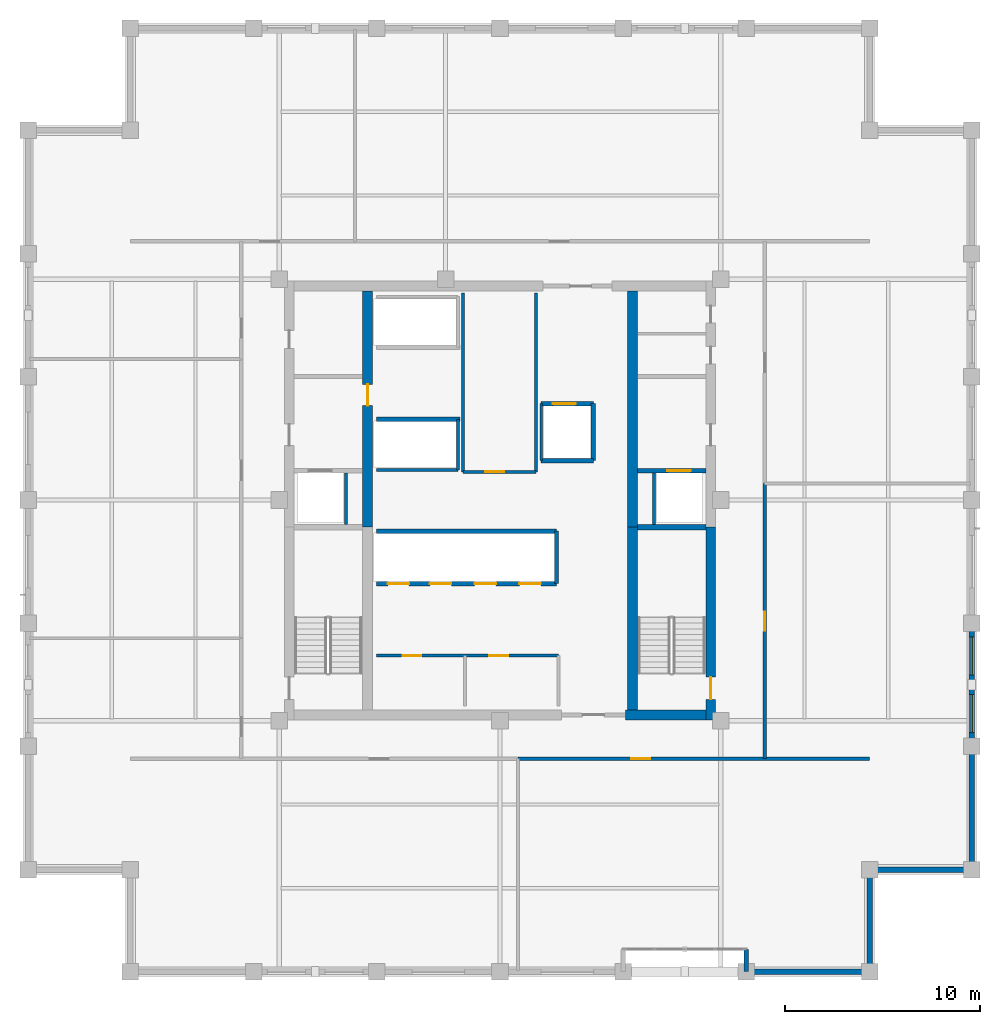
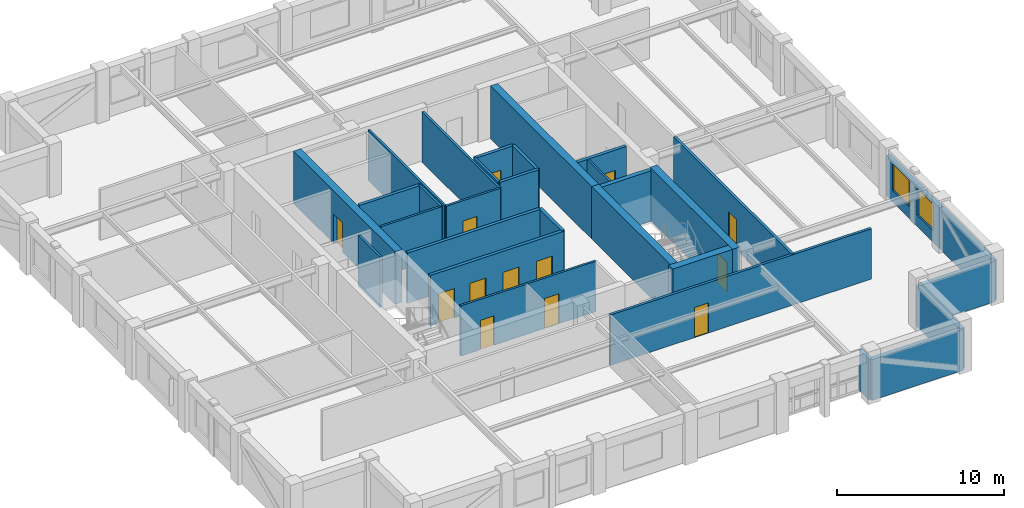
# One storey, part 10 of 13: 31 walls, 13 doors, 2 windows, 15 openings.
"""IFC4 building model written with IfcOpenShell, lengths in metres."""

from ifc_helpers import new_model, si_unit, direction, frame, frame_2d, origin, place, context, subcontext, project, spatial, rectangle, extrude, material, layer, layer_set, type_object, element, fill, save


model = new_model("IFC4")

# Units and contexts
model_context = context("Model", 3, precision=1e-05, world=origin(), true_north=direction((0.0, 1.0)))
body_context = subcontext(model_context, "Body", "Model", "MODEL_VIEW")
ifc_project = project(units=[si_unit("LENGTHUNIT", "METRE"), si_unit("AREAUNIT", "SQUARE_METRE"), si_unit("VOLUMEUNIT", "CUBIC_METRE"), si_unit("PLANEANGLEUNIT", "RADIAN"), si_unit("MASSUNIT", "GRAM", prefix="KILO")], contexts=[model_context])

# Site, building, storey
site_placement = place(None, origin())
site = spatial("IfcSite", under=ifc_project, at=site_placement, CompositionType="ELEMENT")
building_placement = place(site_placement, origin())
building = spatial("IfcBuilding", under=site, at=building_placement, Name="Nhamokura Convention Tower", CompositionType="ELEMENT")
storey_placement = place(building_placement, frame((0.0, 0.0, 213.85009765625)))
storey = spatial("IfcBuildingStorey", under=building, at=storey_placement, Name="L52", CompositionType="ELEMENT", Elevation=213.85009765625)

# Walls
ifc_material_1 = material(Name="Bronze-pigmented precast concrete C45/55", Category="concrete")
ifc_layer_1 = layer(ifc_material_1, 0.280029296875)
ifc_layer_set_1 = layer_set([ifc_layer_1], Name="BronzePrecastSpandrel_280")
wall_type_1 = type_object("IfcWallType", Name="BronzePrecastSpandrel_280", PredefinedType="USERDEFINED", material=ifc_layer_set_1)
wall_1_placement = place(storey_placement, frame((44.666748046875, 7.75, 0.0), z_axis=(0.0, 0.0, 1.0), x_axis=(0.0, 1.0, 0.0)))
element("IfcWall", 1, at=wall_1_placement, inside=storey, type_object=wall_type_1, Name="L52 Scale Slot Cheek Wall SOUTHB", ObjectType="SPANDREL_WALL", PredefinedType="USERDEFINED", context=body_context, shape_type="SweptSolid", body=[
    extrude(rectangle(XDim=1.14990234375, YDim=0.239990234375, at=frame_2d((0.574951171875, 0.0))), origin(), (0.0, 0.0, 1.0), 2.98486328125),
])
for number, where, z_axis, x_axis, name in (
    (2, (51.0, 7.75, 0.0), (0.0, 0.0, 1.0), (-1.0, 0.0, 0.0), "L52 Braced-Bay Precast Wall SOUTH 5"),
    (3, (56.25, 19.333251953125, 0.0), (0.0, 0.0, 1.0), (0.0, -1.0, 0.0), "L52 Braced-Bay Precast Wall EAST 0"),
):
    element("IfcWall", number, at=place(storey_placement, frame(where, z_axis=z_axis, x_axis=x_axis)), inside=storey, type_object=wall_type_1, Name=name, ObjectType="SPANDREL_WALL", PredefinedType="USERDEFINED", context=body_context, shape_type="SweptSolid", body=[
        extrude(rectangle(XDim=6.333251953125, YDim=0.280029296875, at=frame_2d((3.16650390625, 0.0))), origin(), (0.0, 0.0, 1.0), 2.98486328125),
    ])

# Wall, openings, windows
wall_2_placement = place(storey_placement, frame((56.25, 25.666748046875, 0.0), z_axis=(0.0, 0.0, 1.0), x_axis=(0.0, -1.0, 0.0)))
wall_2 = element("IfcWall", 4, at=wall_2_placement, inside=storey, type_object=wall_type_1, Name="L52 Masonry-Frame Wall EAST 1", ObjectType="SPANDREL_WALL", PredefinedType="USERDEFINED", context=body_context, shape_type="SweptSolid", body=[
    extrude(rectangle(XDim=6.33349609375, YDim=0.280029296875, at=frame_2d((3.166748046875, 0.0))), origin(), (0.0, 0.0, 1.0), 2.98486328125),
])
opening_1_placement = place(wall_2_placement, frame((0.708251953125, 0.0, 0.85009765625)))
opening_1 = element("IfcOpeningElement", 5, at=opening_1_placement, cuts=wall_2, Name="Opening W-08", PredefinedType="OPENING", context=body_context, shape_type="SweptSolid", body=[
    extrude(rectangle(XDim=1.949951171875, YDim=1.93505859375, at=frame_2d((0.97509765625, 0.967529296875))), frame((0.0, 0.14990234375, 0.0), z_axis=(0.0, -1.0, 0.0), x_axis=(1.0, 0.0, 0.0)), (0.0, 0.0, 1.0), 0.300048828125),
])
opening_2_placement = place(wall_2_placement, frame((3.675048828125, 0.0, 0.85009765625)))
opening_2 = element("IfcOpeningElement", 6, at=opening_2_placement, cuts=wall_2, Name="Opening W-08", PredefinedType="OPENING", context=body_context, shape_type="SweptSolid", body=[
    extrude(rectangle(XDim=1.949951171875, YDim=1.93505859375, at=frame_2d((0.97509765625, 0.967529296875))), frame((0.0, 0.14990234375, 0.0), z_axis=(0.0, -1.0, 0.0), x_axis=(1.0, 0.0, 0.0)), (0.0, 0.0, 1.0), 0.300048828125),
])
ifc_material_2 = material(Name="Solar-control bronze low-E double glass", Category="glass")
window_type = type_object("IfcWindowType", Name="OfficeModuleWindow_Z3_1950", PartitioningType="SINGLE_PANEL", PredefinedType="WINDOW", material=ifc_material_2)
window_1_placement = place(opening_1_placement, origin())
window_1 = element("IfcWindow", 7, at=window_1_placement, inside=storey, type_object=window_type, Name="L52 Facade Window EAST 1-1", OverallHeight=1.93505859375, OverallWidth=1.949951171875, PartitioningType="SINGLE_PANEL", PredefinedType="WINDOW", context=body_context, shape_type="SweptSolid", body=[
    extrude(rectangle(XDim=1.949951171875, YDim=1.93505859375, at=frame_2d((0.97509765625, 0.967529296875))), frame((0.0, 0.030029296875, 0.0), z_axis=(0.0, -1.0, 0.0), x_axis=(1.0, 0.0, 0.0)), (0.0, 0.0, 1.0), 0.06005859375),
])
fill(opening_1, window_1)
window_2_placement = place(opening_2_placement, origin())
window_2 = element("IfcWindow", 8, at=window_2_placement, inside=storey, type_object=window_type, Name="L52 Facade Window EAST 1-2", OverallHeight=1.93505859375, OverallWidth=1.949951171875, PartitioningType="SINGLE_PANEL", PredefinedType="WINDOW", context=body_context, shape_type="SweptSolid", body=[
    extrude(rectangle(XDim=1.949951171875, YDim=1.93505859375, at=frame_2d((0.97509765625, 0.967529296875))), frame((0.0, 0.030029296875, 0.0), z_axis=(0.0, -1.0, 0.0), x_axis=(1.0, 0.0, 0.0)), (0.0, 0.0, 1.0), 0.06005859375),
])
fill(opening_2, window_2)

# Walls
for number, where, z_axis, x_axis, name in (
    (9, (51.0, 13.0, 0.0), (0.0, 0.0, 1.0), (0.0, -1.0, 0.0), "L52 Notched Corner Wall SE1"),
    (10, (56.25, 13.0, 0.0), (0.0, 0.0, 1.0), (-1.0, 0.0, 0.0), "L52 Notched Corner Wall SE2"),
):
    element("IfcWall", number, at=place(storey_placement, frame(where, z_axis=z_axis, x_axis=x_axis)), inside=storey, type_object=wall_type_1, Name=name, ObjectType="SPANDREL_WALL", PredefinedType="USERDEFINED", context=body_context, shape_type="SweptSolid", body=[
        extrude(rectangle(XDim=5.25, YDim=0.280029296875, at=frame_2d((2.625, 0.0))), origin(), (0.0, 0.0, 1.0), 2.98486328125),
    ])

# Wall, opening, door
ifc_material_3 = material(Name="Concrete C60/75", Category="concrete")
ifc_layer_2 = layer(ifc_material_3, 0.5)
ifc_layer_set_2 = layer_set([ifc_layer_2], Name="CoreShearWall_500")
wall_type_2 = type_object("IfcWallType", Name="CoreShearWall_500", PredefinedType="SHEAR", material=ifc_layer_set_2)
wall_3_placement = place(storey_placement, frame((42.840087890625, 20.699951171875, 0.0), z_axis=(0.0, 0.0, 1.0), x_axis=(0.0, 1.0, 0.0)))
wall_3 = element("IfcWall", 11, at=wall_3_placement, inside=storey, type_object=wall_type_2, Name="L52 Core Shear Wall CW-ES", PredefinedType="SHEAR", context=body_context, shape_type="SweptSolid", body=[
    extrude(rectangle(XDim=9.900146484375, YDim=0.5, at=frame_2d((4.9501953125, 0.0))), origin(), (0.0, 0.0, 1.0), 3.849853515625),
])
opening_3_placement = place(wall_3_placement, frame((1.050048828125, 0.0, 0.0)))
opening_3 = element("IfcOpeningElement", 12, at=opening_3_placement, cuts=wall_3, Name="Opening D-04", PredefinedType="OPENING", context=body_context, shape_type="SweptSolid", body=[
    extrude(rectangle(XDim=1.14990234375, YDim=2.14990234375, at=frame_2d((0.574951171875, 1.074951171875))), frame((0.0, 0.260009765625, 0.0), z_axis=(0.0, -1.0, 0.0), x_axis=(1.0, 0.0, 0.0)), (0.0, 0.0, 1.0), 0.52001953125),
])
ifc_material_4 = material(Name="Fire-rated steel door", Category="steel")
door_type_1 = type_object("IfcDoorType", Name="StairSmokeDoor_1150", OperationType="NOTDEFINED", PredefinedType="DOOR", material=ifc_material_4)
door_1_placement = place(opening_3_placement, origin())
door_1 = element("IfcDoor", 13, at=door_1_placement, inside=storey, type_object=door_type_1, Name="L52 Core Door INT-L52-D-ST02", OperationType="SINGLE_SWING_RIGHT", OverallHeight=2.14990234375, OverallWidth=1.14990234375, PredefinedType="DOOR", context=body_context, shape_type="SweptSolid", body=[
    extrude(rectangle(XDim=1.14990234375, YDim=2.14990234375, at=frame_2d((0.574951171875, 1.074951171875))), frame((0.0, 0.02490234375, 0.0), z_axis=(0.0, -1.0, 0.0), x_axis=(1.0, 0.0, 0.0)), (0.0, 0.0, 1.0), 0.050048828125),
])
fill(opening_3, door_1)

# Wall
wall_4_placement = place(storey_placement, frame((38.449951171875, 20.949951171875, 0.0), z_axis=(0.0, 0.0, 1.0), x_axis=(1.0, 0.0, 0.0)))
element("IfcWall", 14, at=wall_4_placement, inside=storey, type_object=wall_type_2, Name="L52 Core Shear Wall CW-S2", PredefinedType="SHEAR", context=body_context, shape_type="SweptSolid", body=[
    extrude(rectangle(XDim=4.14013671875, YDim=0.5, at=frame_2d((2.070068359375, 0.0))), origin(), (0.0, 0.0, 1.0), 3.849853515625),
])

# Wall, opening, door
wall_5_placement = place(storey_placement, frame((25.18994140625, 30.60009765625, 0.0), z_axis=(0.0, 0.0, 1.0), x_axis=(0.0, 1.0, 0.0)))
wall_5 = element("IfcWall", 15, at=wall_5_placement, inside=storey, type_object=wall_type_2, Name="L52 Core Shear Wall CW-IWN", PredefinedType="SHEAR", context=body_context, shape_type="SweptSolid", body=[
    extrude(rectangle(XDim=12.14990234375, YDim=0.5, at=frame_2d((6.074951171875, 0.0))), origin(), (0.0, 0.0, 1.0), 3.849853515625),
])
opening_4_placement = place(wall_5_placement, frame((6.25, 0.0, 0.0)))
opening_4 = element("IfcOpeningElement", 16, at=opening_4_placement, cuts=wall_5, Name="Opening D-05", PredefinedType="OPENING", context=body_context, shape_type="SweptSolid", body=[
    extrude(rectangle(XDim=1.10009765625, YDim=2.14990234375, at=frame_2d((0.550048828125, 1.074951171875))), frame((0.0, 0.260009765625, 0.0), z_axis=(0.0, -1.0, 0.0), x_axis=(1.0, 0.0, 0.0)), (0.0, 0.0, 1.0), 0.52001953125),
])
ifc_material_5 = material(Name="Fire-rated steel door", Category="steel")
door_type_2 = type_object("IfcDoorType", Name="FireLobbyDoor_1100", OperationType="NOTDEFINED", PredefinedType="DOOR", material=ifc_material_5)
door_2_placement = place(opening_4_placement, origin())
door_2 = element("IfcDoor", 17, at=door_2_placement, inside=storey, type_object=door_type_2, Name="L52 Core Door INT-L52-D-B3LOB", OperationType="SINGLE_SWING_LEFT", OverallHeight=2.14990234375, OverallWidth=1.10009765625, PredefinedType="DOOR", context=body_context, shape_type="SweptSolid", body=[
    extrude(rectangle(XDim=1.10009765625, YDim=2.14990234375, at=frame_2d((0.550048828125, 1.074951171875))), frame((0.0, 0.02490234375, 0.0), z_axis=(0.0, -1.0, 0.0), x_axis=(1.0, 0.0, 0.0)), (0.0, 0.0, 1.0), 0.050048828125),
])
fill(opening_4, door_2)

# Walls
wall_6_placement = place(storey_placement, frame((38.81005859375, 21.199951171875, 0.0), z_axis=(0.0, 0.0, 1.0), x_axis=(0.0, 1.0, 0.0)))
element("IfcWall", 18, at=wall_6_placement, inside=storey, type_object=wall_type_2, Name="L52 Core Shear Wall CW-IES", PredefinedType="SHEAR", context=body_context, shape_type="SweptSolid", body=[
    extrude(rectangle(XDim=9.400146484375, YDim=0.5, at=frame_2d((4.7001953125, 0.0))), origin(), (0.0, 0.0, 1.0), 3.849853515625),
])
wall_7_placement = place(storey_placement, frame((38.81005859375, 30.60009765625, 0.0), z_axis=(0.0, 0.0, 1.0), x_axis=(0.0, 1.0, 0.0)))
element("IfcWall", 19, at=wall_7_placement, inside=storey, type_object=wall_type_2, Name="L52 Core Shear Wall CW-IEN", PredefinedType="SHEAR", context=body_context, shape_type="SweptSolid", body=[
    extrude(rectangle(XDim=12.14990234375, YDim=0.5, at=frame_2d((6.074951171875, 0.0))), origin(), (0.0, 0.0, 1.0), 3.849853515625),
])

# Wall, opening, door
ifc_material_6 = material(Name="Fire-rated gypsum and masonry partition", Category="masonry")
ifc_layer_3 = layer(ifc_material_6, 0.179931640625)
ifc_layer_set_3 = layer_set([ifc_layer_3], Name="CorridorRatedWall_180")
wall_type_3 = type_object("IfcWallType", Name="CorridorRatedWall_180", PredefinedType="STANDARD", material=ifc_layer_set_3)
wall_8_placement = place(storey_placement, frame((32.925048828125, 18.699951171875, 0.0), z_axis=(0.0, 0.0, 1.0), x_axis=(1.0, 0.0, 0.0)))
wall_8 = element("IfcWall", 20, at=wall_8_placement, inside=storey, type_object=wall_type_3, Name="L52 Wall INT-L52-CW-S01", PredefinedType="STANDARD", context=body_context, shape_type="SweptSolid", body=[
    extrude(rectangle(XDim=18.074951171875, YDim=0.179931640625, at=frame_2d((9.03759765625, 0.0))), origin(), (0.0, 0.0, 1.0), 3.684814453125),
])
opening_5_placement = place(wall_8_placement, frame((5.8125, 0.0, 0.0)))
opening_5 = element("IfcOpeningElement", 21, at=opening_5_placement, cuts=wall_8, Name="Opening D-08", PredefinedType="OPENING", context=body_context, shape_type="SweptSolid", body=[
    extrude(rectangle(XDim=0.97998046875, YDim=2.199951171875, at=frame_2d((0.489990234375, 1.10009765625))), frame((0.0, 0.099853515625, 0.0), z_axis=(0.0, -1.0, 0.0), x_axis=(1.0, 0.0, 0.0)), (0.0, 0.0, 1.0), 0.199951171875),
])
ifc_material_7 = material(Name="Solid oak hardwood", Category="wood")
door_type_3 = type_object("IfcDoorType", Name="OfficeEntryDoor_980", OperationType="NOTDEFINED", PredefinedType="DOOR", material=ifc_material_7)
door_3_placement = place(opening_5_placement, origin())
door_3 = element("IfcDoor", 22, at=door_3_placement, inside=storey, type_object=door_type_3, Name="L52 Model Workshop S02 Door", OperationType="SINGLE_SWING_RIGHT", OverallHeight=2.199951171875, OverallWidth=0.97998046875, PredefinedType="DOOR", context=body_context, shape_type="SweptSolid", body=[
    extrude(rectangle(XDim=0.97998046875, YDim=2.199951171875, at=frame_2d((0.489990234375, 1.10009765625))), frame((0.0, 0.02490234375, 0.0), z_axis=(0.0, -1.0, 0.0), x_axis=(1.0, 0.0, 0.0)), (0.0, 0.0, 1.0), 0.050048828125),
])
fill(opening_5, door_3)

wall_9_placement = place(storey_placement, frame((45.60009765625, 18.699951171875, 0.0), z_axis=(0.0, 0.0, 1.0), x_axis=(0.0, 1.0, 0.0)))
wall_9 = element("IfcWall", 23, at=wall_9_placement, inside=storey, type_object=wall_type_3, Name="L52 Wall INT-L52-CW-E00", PredefinedType="STANDARD", context=body_context, shape_type="SweptSolid", body=[
    extrude(rectangle(XDim=14.150146484375, YDim=0.179931640625, at=frame_2d((7.0751953125, 0.0))), origin(), (0.0, 0.0, 1.0), 3.684814453125),
])
opening_6_placement = place(wall_9_placement, frame((6.574951171875, 0.0, 0.0)))
opening_6 = element("IfcOpeningElement", 24, at=opening_6_placement, cuts=wall_9, Name="Opening D-08", PredefinedType="OPENING", context=body_context, shape_type="SweptSolid", body=[
    extrude(rectangle(XDim=0.97998046875, YDim=2.199951171875, at=frame_2d((0.489990234375, 1.10009765625))), frame((0.0, 0.099853515625, 0.0), z_axis=(0.0, -1.0, 0.0), x_axis=(1.0, 0.0, 0.0)), (0.0, 0.0, 1.0), 0.199951171875),
])
door_4_placement = place(opening_6_placement, origin())
door_4 = element("IfcDoor", 25, at=door_4_placement, inside=storey, type_object=door_type_3, Name="L52 Client Lounge E01 Door", OperationType="SINGLE_SWING_LEFT", OverallHeight=2.199951171875, OverallWidth=0.97998046875, PredefinedType="DOOR", context=body_context, shape_type="SweptSolid", body=[
    extrude(rectangle(XDim=0.97998046875, YDim=2.199951171875, at=frame_2d((0.489990234375, 1.10009765625))), frame((0.0, 0.02490234375, 0.0), z_axis=(0.0, -1.0, 0.0), x_axis=(1.0, 0.0, 0.0)), (0.0, 0.0, 1.0), 0.050048828125),
])
fill(opening_6, door_4)

ifc_material_8 = material(Name="Autoclaved concrete blockwork", Category="masonry")
ifc_layer_4 = layer(ifc_material_8, 0.219970703125)
ifc_layer_set_4 = layer_set([ifc_layer_4], Name="FireLobbyWall_220")
wall_type_4 = type_object("IfcWallType", Name="FireLobbyWall_220", PredefinedType="STANDARD", material=ifc_layer_set_4)
wall_10_placement = place(storey_placement, frame((39.06005859375, 33.5, 0.0), z_axis=(0.0, 0.0, 1.0), x_axis=(1.0, 0.0, 0.0)))
wall_10 = element("IfcWall", 26, at=wall_10_placement, inside=storey, type_object=wall_type_4, Name="L52 Wall INT-L52-FFE-S", PredefinedType="STANDARD", context=body_context, shape_type="SweptSolid", body=[
    extrude(rectangle(XDim=3.530029296875, YDim=0.219970703125, at=frame_2d((1.76513671875, 0.0))), origin(), (0.0, 0.0, 1.0), 3.684814453125),
])
opening_7_placement = place(wall_10_placement, frame((1.550048828125, 0.0, 0.0)))
opening_7 = element("IfcOpeningElement", 27, at=opening_7_placement, cuts=wall_10, Name="Opening LD-02", PredefinedType="OPENING", context=body_context, shape_type="SweptSolid", body=[
    extrude(rectangle(XDim=1.199951171875, YDim=2.199951171875, at=frame_2d((0.60009765625, 1.10009765625))), frame((0.0, 0.119873046875, 0.0), z_axis=(0.0, -1.0, 0.0), x_axis=(1.0, 0.0, 0.0)), (0.0, 0.0, 1.0), 0.239990234375),
])
ifc_material_9 = material(Name="Anodised bronze stainless steel", Category="steel")
door_type_4 = type_object("IfcDoorType", Name="LiftLandingDoor_FireService", OperationType="DOUBLE_DOOR_SLIDING", PredefinedType="DOOR", material=ifc_material_9)
door_5_placement = place(opening_7_placement, origin())
door_5 = element("IfcDoor", 28, at=door_5_placement, inside=storey, type_object=door_type_4, Name="L52 Firefighting Lift LF-02 Door", OperationType="DOUBLE_DOOR_SLIDING", OverallHeight=2.199951171875, OverallWidth=1.199951171875, PredefinedType="DOOR", context=body_context, shape_type="SweptSolid", body=[
    extrude(rectangle(XDim=1.199951171875, YDim=2.199951171875, at=frame_2d((0.60009765625, 1.10009765625))), frame((0.0, 0.02490234375, 0.0), z_axis=(0.0, -1.0, 0.0), x_axis=(1.0, 0.0, 0.0)), (0.0, 0.0, 1.0), 0.050048828125),
])
fill(opening_7, door_5)

# Wall, openings, doors
wall_11_placement = place(storey_placement, frame((25.64990234375, 27.699951171875, 0.0), z_axis=(0.0, 0.0, 1.0), x_axis=(1.0, 0.0, 0.0)))
wall_11 = element("IfcWall", 29, at=wall_11_placement, inside=storey, type_object=wall_type_4, Name="L52 Wall INT-L52-B2S", PredefinedType="STANDARD", context=body_context, shape_type="SweptSolid", body=[
    extrude(rectangle(XDim=9.25, YDim=0.219970703125, at=frame_2d((4.625, 0.0))), origin(), (0.0, 0.0, 1.0), 3.684814453125),
])
opening_8_placement = place(wall_11_placement, frame((0.580078125, 0.0, 0.0)))
opening_8 = element("IfcOpeningElement", 30, at=opening_8_placement, cuts=wall_11, Name="Opening LD-01", PredefinedType="OPENING", context=body_context, shape_type="SweptSolid", body=[
    extrude(rectangle(XDim=1.10009765625, YDim=2.14990234375, at=frame_2d((0.550048828125, 1.074951171875))), frame((0.0, 0.119873046875, 0.0), z_axis=(0.0, -1.0, 0.0), x_axis=(1.0, 0.0, 0.0)), (0.0, 0.0, 1.0), 0.239990234375),
])
opening_9_placement = place(wall_11_placement, frame((2.75, 0.0, 0.0)))
opening_9 = element("IfcOpeningElement", 31, at=opening_9_placement, cuts=wall_11, Name="Opening LD-01", PredefinedType="OPENING", context=body_context, shape_type="SweptSolid", body=[
    extrude(rectangle(XDim=1.10009765625, YDim=2.14990234375, at=frame_2d((0.550048828125, 1.074951171875))), frame((0.0, 0.119873046875, 0.0), z_axis=(0.0, -1.0, 0.0), x_axis=(1.0, 0.0, 0.0)), (0.0, 0.0, 1.0), 0.239990234375),
])
opening_10_placement = place(wall_11_placement, frame((5.050048828125, 0.0, 0.0)))
opening_10 = element("IfcOpeningElement", 32, at=opening_10_placement, cuts=wall_11, Name="Opening LD-01", PredefinedType="OPENING", context=body_context, shape_type="SweptSolid", body=[
    extrude(rectangle(XDim=1.10009765625, YDim=2.14990234375, at=frame_2d((0.550048828125, 1.074951171875))), frame((0.0, 0.119873046875, 0.0), z_axis=(0.0, -1.0, 0.0), x_axis=(1.0, 0.0, 0.0)), (0.0, 0.0, 1.0), 0.239990234375),
])
opening_11_placement = place(wall_11_placement, frame((7.35009765625, 0.0, 0.0)))
opening_11 = element("IfcOpeningElement", 33, at=opening_11_placement, cuts=wall_11, Name="Opening LD-01", PredefinedType="OPENING", context=body_context, shape_type="SweptSolid", body=[
    extrude(rectangle(XDim=1.10009765625, YDim=2.14990234375, at=frame_2d((0.550048828125, 1.074951171875))), frame((0.0, 0.119873046875, 0.0), z_axis=(0.0, -1.0, 0.0), x_axis=(1.0, 0.0, 0.0)), (0.0, 0.0, 1.0), 0.239990234375),
])
ifc_material_10 = material(Name="Anodised bronze stainless steel", Category="steel")
door_type_5 = type_object("IfcDoorType", Name="LiftLandingDoor_Passenger", OperationType="DOUBLE_DOOR_SLIDING", PredefinedType="DOOR", material=ifc_material_10)
door_6_placement = place(opening_8_placement, origin())
door_6 = element("IfcDoor", 34, at=door_6_placement, inside=storey, type_object=door_type_5, Name="L52 Lift LP-05 Landing Door", OperationType="DOUBLE_DOOR_SLIDING", OverallHeight=2.14990234375, OverallWidth=1.10009765625, PredefinedType="DOOR", context=body_context, shape_type="SweptSolid", body=[
    extrude(rectangle(XDim=1.10009765625, YDim=2.14990234375, at=frame_2d((0.550048828125, 1.074951171875))), frame((0.0, 0.02490234375, 0.0), z_axis=(0.0, -1.0, 0.0), x_axis=(1.0, 0.0, 0.0)), (0.0, 0.0, 1.0), 0.050048828125),
])
fill(opening_8, door_6)
door_7_placement = place(opening_9_placement, origin())
door_7 = element("IfcDoor", 35, at=door_7_placement, inside=storey, type_object=door_type_5, Name="L52 Lift LP-06 Landing Door", OperationType="DOUBLE_DOOR_SLIDING", OverallHeight=2.14990234375, OverallWidth=1.10009765625, PredefinedType="DOOR", context=body_context, shape_type="SweptSolid", body=[
    extrude(rectangle(XDim=1.10009765625, YDim=2.14990234375, at=frame_2d((0.550048828125, 1.074951171875))), frame((0.0, 0.02490234375, 0.0), z_axis=(0.0, -1.0, 0.0), x_axis=(1.0, 0.0, 0.0)), (0.0, 0.0, 1.0), 0.050048828125),
])
fill(opening_9, door_7)
door_8_placement = place(opening_10_placement, origin())
door_8 = element("IfcDoor", 36, at=door_8_placement, inside=storey, type_object=door_type_5, Name="L52 Lift LP-07 Landing Door", OperationType="DOUBLE_DOOR_SLIDING", OverallHeight=2.14990234375, OverallWidth=1.10009765625, PredefinedType="DOOR", context=body_context, shape_type="SweptSolid", body=[
    extrude(rectangle(XDim=1.10009765625, YDim=2.14990234375, at=frame_2d((0.550048828125, 1.074951171875))), frame((0.0, 0.02490234375, 0.0), z_axis=(0.0, -1.0, 0.0), x_axis=(1.0, 0.0, 0.0)), (0.0, 0.0, 1.0), 0.050048828125),
])
fill(opening_10, door_8)
door_9_placement = place(opening_11_placement, origin())
door_9 = element("IfcDoor", 37, at=door_9_placement, inside=storey, type_object=door_type_5, Name="L52 Lift LP-08 Landing Door", OperationType="DOUBLE_DOOR_SLIDING", OverallHeight=2.14990234375, OverallWidth=1.10009765625, PredefinedType="DOOR", context=body_context, shape_type="SweptSolid", body=[
    extrude(rectangle(XDim=1.10009765625, YDim=2.14990234375, at=frame_2d((0.550048828125, 1.074951171875))), frame((0.0, 0.02490234375, 0.0), z_axis=(0.0, -1.0, 0.0), x_axis=(1.0, 0.0, 0.0)), (0.0, 0.0, 1.0), 0.050048828125),
])
fill(opening_11, door_9)

# Walls
wall_12_placement = place(storey_placement, frame((25.64990234375, 30.39990234375, 0.0), z_axis=(0.0, 0.0, 1.0), x_axis=(1.0, 0.0, 0.0)))
element("IfcWall", 38, at=wall_12_placement, inside=storey, type_object=wall_type_4, Name="L52 Wall INT-L52-B2N", PredefinedType="STANDARD", context=body_context, shape_type="SweptSolid", body=[
    extrude(rectangle(XDim=9.25, YDim=0.219970703125, at=frame_2d((4.625, 0.0))), origin(), (0.0, 0.0, 1.0), 3.684814453125),
])
wall_13_placement = place(storey_placement, frame((34.89990234375, 27.699951171875, 0.0), z_axis=(0.0, 0.0, 1.0), x_axis=(0.0, 1.0, 0.0)))
element("IfcWall", 39, at=wall_13_placement, inside=storey, type_object=wall_type_4, Name="L52 Wall INT-L52-B2E", PredefinedType="STANDARD", context=body_context, shape_type="SweptSolid", body=[
    extrude(rectangle(XDim=2.699951171875, YDim=0.219970703125, at=frame_2d((1.35009765625, 0.0))), origin(), (0.0, 0.0, 1.0), 3.684814453125),
])
wall_14_placement = place(storey_placement, frame((25.64990234375, 36.14990234375, 0.0), z_axis=(0.0, 0.0, 1.0), x_axis=(1.0, 0.0, 0.0)))
element("IfcWall", 40, at=wall_14_placement, inside=storey, type_object=wall_type_4, Name="L52 Wall INT-L52-B3S", PredefinedType="STANDARD", context=body_context, shape_type="SweptSolid", body=[
    extrude(rectangle(XDim=4.300048828125, YDim=0.219970703125, at=frame_2d((2.14990234375, 0.0))), origin(), (0.0, 0.0, 1.0), 3.684814453125),
])

# Wall, opening, door
wall_15_placement = place(storey_placement, frame((34.1201171875, 36.949951171875, 0.0), z_axis=(0.0, 0.0, 1.0), x_axis=(1.0, 0.0, 0.0)))
wall_15 = element("IfcWall", 41, at=wall_15_placement, inside=storey, type_object=wall_type_4, Name="L52 Wall INT-L52-LSN", PredefinedType="STANDARD", context=body_context, shape_type="SweptSolid", body=[
    extrude(rectangle(XDim=2.679931640625, YDim=0.219970703125, at=frame_2d((1.33984375, 0.0))), origin(), (0.0, 0.0, 1.0), 3.684814453125),
])
opening_12_placement = place(wall_15_placement, frame((0.580078125, 0.0, 0.0)))
opening_12 = element("IfcOpeningElement", 42, at=opening_12_placement, cuts=wall_15, Name="Opening LD-02", PredefinedType="OPENING", context=body_context, shape_type="SweptSolid", body=[
    extrude(rectangle(XDim=1.199951171875, YDim=2.199951171875, at=frame_2d((0.60009765625, 1.10009765625))), frame((0.0, 0.119873046875, 0.0), z_axis=(0.0, -1.0, 0.0), x_axis=(1.0, 0.0, 0.0)), (0.0, 0.0, 1.0), 0.239990234375),
])
door_10_placement = place(opening_12_placement, origin())
door_10 = element("IfcDoor", 43, at=door_10_placement, inside=storey, type_object=door_type_4, Name="L52 Service Lift LS-01 Door", OperationType="DOUBLE_DOOR_SLIDING", OverallHeight=2.199951171875, OverallWidth=1.199951171875, PredefinedType="DOOR", context=body_context, shape_type="SweptSolid", body=[
    extrude(rectangle(XDim=1.199951171875, YDim=2.199951171875, at=frame_2d((0.60009765625, 1.10009765625))), frame((0.0, 0.02490234375, 0.0), z_axis=(0.0, -1.0, 0.0), x_axis=(1.0, 0.0, 0.0)), (0.0, 0.0, 1.0), 0.050048828125),
])
fill(opening_12, door_10)

# Walls
wall_16_placement = place(storey_placement, frame((36.800048828125, 34.02001953125, 0.0), z_axis=(0.0, 0.0, 1.0), x_axis=(0.0, 1.0, 0.0)))
element("IfcWall", 44, at=wall_16_placement, inside=storey, type_object=wall_type_4, Name="L52 Wall INT-L52-LSE", PredefinedType="STANDARD", context=body_context, shape_type="SweptSolid", body=[
    extrude(rectangle(XDim=2.929931640625, YDim=0.219970703125, at=frame_2d((1.46484375, 0.0))), origin(), (0.0, 0.0, 1.0), 3.684814453125),
])
wall_17_placement = place(storey_placement, frame((34.1201171875, 34.02001953125, 0.0), z_axis=(0.0, 0.0, 1.0), x_axis=(1.0, 0.0, 0.0)))
element("IfcWall", 45, at=wall_17_placement, inside=storey, type_object=wall_type_4, Name="L52 Wall INT-L52-LSS", PredefinedType="STANDARD", context=body_context, shape_type="SweptSolid", body=[
    extrude(rectangle(XDim=2.679931640625, YDim=0.219970703125, at=frame_2d((1.33984375, 0.0))), origin(), (0.0, 0.0, 1.0), 3.684814453125),
])
ifc_material_11 = material(Name="Acoustic gypsum stud partition", Category="masonry")
ifc_layer_5 = layer(ifc_material_11, 0.14990234375)
ifc_layer_set_5 = layer_set([ifc_layer_5], Name="InteriorPartition_150")
wall_type_5 = type_object("IfcWallType", Name="InteriorPartition_150", PredefinedType="STANDARD", material=ifc_layer_set_5)
for number, where, z_axis, x_axis, name in (
    (46, (24.080078125, 30.75, 0.0), (0.0, 0.0, 1.0), (0.0, 1.0, 0.0), "L52 Wall INT-L52-FF1-E"),
    (47, (39.919921875, 30.75, 0.0), (0.0, 0.0, 1.0), (0.0, 1.0, 0.0), "L52 Wall INT-L52-FF2-W"),
):
    element("IfcWall", number, at=place(storey_placement, frame(where, z_axis=z_axis, x_axis=x_axis)), inside=storey, type_object=wall_type_5, Name=name, PredefinedType="STANDARD", context=body_context, shape_type="SweptSolid", body=[
        extrude(rectangle(XDim=2.64990234375, YDim=0.14990234375, at=frame_2d((1.324951171875, 0.0))), origin(), (0.0, 0.0, 1.0), 3.684814453125),
    ])

# Wall, openings, doors
wall_18_placement = place(storey_placement, frame((25.64990234375, 24.0, 0.0), z_axis=(0.0, 0.0, 1.0), x_axis=(1.0, 0.0, 0.0)))
wall_18 = element("IfcWall", 48, at=wall_18_placement, inside=storey, type_object=wall_type_5, Name="L52 Wall INT-L52-B1R-N", PredefinedType="STANDARD", context=body_context, shape_type="SweptSolid", body=[
    extrude(rectangle(XDim=9.35009765625, YDim=0.14990234375, at=frame_2d((4.675048828125, 0.0))), origin(), (0.0, 0.0, 1.0), 3.684814453125),
])
opening_13_placement = place(wall_18_placement, frame((1.35009765625, 0.0, 0.0)))
opening_13 = element("IfcOpeningElement", 49, at=opening_13_placement, cuts=wall_18, Name="Opening D-09", PredefinedType="OPENING", context=body_context, shape_type="SweptSolid", body=[
    extrude(rectangle(XDim=0.949951171875, YDim=2.14990234375, at=frame_2d((0.47509765625, 1.074951171875))), frame((0.0, 0.0849609375, 0.0), z_axis=(0.0, -1.0, 0.0), x_axis=(1.0, 0.0, 0.0)), (0.0, 0.0, 1.0), 0.169921875),
])
opening_14_placement = place(wall_18_placement, frame((5.800048828125, 0.0, 0.0)))
opening_14 = element("IfcOpeningElement", 50, at=opening_14_placement, cuts=wall_18, Name="Opening D-08", PredefinedType="OPENING", context=body_context, shape_type="SweptSolid", body=[
    extrude(rectangle(XDim=0.97998046875, YDim=2.199951171875, at=frame_2d((0.489990234375, 1.10009765625))), frame((0.0, 0.0849609375, 0.0), z_axis=(0.0, -1.0, 0.0), x_axis=(1.0, 0.0, 0.0)), (0.0, 0.0, 1.0), 0.169921875),
])
ifc_material_12 = material(Name="Solid oak hardwood", Category="wood")
door_type_6 = type_object("IfcDoorType", Name="MeetingRoomDoor_950", OperationType="NOTDEFINED", PredefinedType="DOOR", material=ifc_material_12)
door_11_placement = place(opening_13_placement, origin())
door_11 = element("IfcDoor", 51, at=door_11_placement, inside=storey, type_object=door_type_6, Name="L52 Reclaimed Briefing Room Door", OperationType="SINGLE_SWING_LEFT", OverallHeight=2.14990234375, OverallWidth=0.949951171875, PredefinedType="DOOR", context=body_context, shape_type="SweptSolid", body=[
    extrude(rectangle(XDim=0.949951171875, YDim=2.14990234375, at=frame_2d((0.47509765625, 1.074951171875))), frame((0.0, 0.02490234375, 0.0), z_axis=(0.0, -1.0, 0.0), x_axis=(1.0, 0.0, 0.0)), (0.0, 0.0, 1.0), 0.050048828125),
])
fill(opening_13, door_11)
door_12_placement = place(opening_14_placement, origin())
door_12 = element("IfcDoor", 52, at=door_12_placement, inside=storey, type_object=door_type_3, Name="L52 Reclaimed Hub Door", OperationType="SINGLE_SWING_RIGHT", OverallHeight=2.199951171875, OverallWidth=0.97998046875, PredefinedType="DOOR", context=body_context, shape_type="SweptSolid", body=[
    extrude(rectangle(XDim=0.97998046875, YDim=2.199951171875, at=frame_2d((0.489990234375, 1.10009765625))), frame((0.0, 0.02490234375, 0.0), z_axis=(0.0, -1.0, 0.0), x_axis=(1.0, 0.0, 0.0)), (0.0, 0.0, 1.0), 0.050048828125),
])
fill(opening_14, door_12)

# Walls
wall_19_placement = place(storey_placement, frame((25.64990234375, 33.550048828125, 0.0), z_axis=(0.0, 0.0, 1.0), x_axis=(1.0, 0.0, 0.0)))
element("IfcWall", 53, at=wall_19_placement, inside=storey, type_object=wall_type_5, Name="L52 Wall INT-L52-B3A-S", PredefinedType="STANDARD", context=body_context, shape_type="SweptSolid", body=[
    extrude(rectangle(XDim=4.2001953125, YDim=0.14990234375, at=frame_2d((2.10009765625, 0.0))), origin(), (0.0, 0.0, 1.0), 3.684814453125),
])
wall_20_placement = place(storey_placement, frame((29.85009765625, 33.550048828125, 0.0), z_axis=(0.0, 0.0, 1.0), x_axis=(0.0, 1.0, 0.0)))
element("IfcWall", 54, at=wall_20_placement, inside=storey, type_object=wall_type_5, Name="L52 Wall INT-L52-B3A-E", PredefinedType="STANDARD", context=body_context, shape_type="SweptSolid", body=[
    extrude(rectangle(XDim=2.599853515625, YDim=0.14990234375, at=frame_2d((1.2998046875, 0.0))), origin(), (0.0, 0.0, 1.0), 3.684814453125),
])
for number, where, z_axis, x_axis, name in (
    (55, (30.10009765625, 33.449951171875, 0.0), (0.0, 0.0, 1.0), (0.0, 1.0, 0.0), "L52 Wall INT-L52-ST03W"),
    (56, (33.85009765625, 33.449951171875, 0.0), (0.0, 0.0, 1.0), (0.0, 1.0, 0.0), "L52 Wall INT-L52-ST03E"),
):
    element("IfcWall", number, at=place(storey_placement, frame(where, z_axis=z_axis, x_axis=x_axis)), inside=storey, type_object=wall_type_5, Name=name, PredefinedType="STANDARD", context=body_context, shape_type="SweptSolid", body=[
        extrude(rectangle(XDim=9.199951171875, YDim=0.14990234375, at=frame_2d((4.60009765625, 0.0))), origin(), (0.0, 0.0, 1.0), 3.684814453125),
    ])

# Wall, opening, door
wall_21_placement = place(storey_placement, frame((30.10009765625, 33.449951171875, 0.0), z_axis=(0.0, 0.0, 1.0), x_axis=(1.0, 0.0, 0.0)))
wall_21 = element("IfcWall", 57, at=wall_21_placement, inside=storey, type_object=wall_type_5, Name="L52 Wall INT-L52-ST03S", PredefinedType="STANDARD", context=body_context, shape_type="SweptSolid", body=[
    extrude(rectangle(XDim=3.75, YDim=0.14990234375, at=frame_2d((1.875, 0.0))), origin(), (0.0, 0.0, 1.0), 3.684814453125),
])
opening_15_placement = place(wall_21_placement, frame((1.14990234375, 0.0, 0.0)))
opening_15 = element("IfcOpeningElement", 58, at=opening_15_placement, cuts=wall_21, Name="Opening D-08", PredefinedType="OPENING", context=body_context, shape_type="SweptSolid", body=[
    extrude(rectangle(XDim=0.97998046875, YDim=2.199951171875, at=frame_2d((0.489990234375, 1.10009765625))), frame((0.0, 0.0849609375, 0.0), z_axis=(0.0, -1.0, 0.0), x_axis=(1.0, 0.0, 0.0)), (0.0, 0.0, 1.0), 0.169921875),
])
door_13_placement = place(opening_15_placement, origin())
door_13 = element("IfcDoor", 59, at=door_13_placement, inside=storey, type_object=door_type_3, Name="L52 Wellness and Records Room Door", OperationType="SINGLE_SWING_LEFT", OverallHeight=2.199951171875, OverallWidth=0.97998046875, PredefinedType="DOOR", context=body_context, shape_type="SweptSolid", body=[
    extrude(rectangle(XDim=0.97998046875, YDim=2.199951171875, at=frame_2d((0.489990234375, 1.10009765625))), frame((0.0, 0.02490234375, 0.0), z_axis=(0.0, -1.0, 0.0), x_axis=(1.0, 0.0, 0.0)), (0.0, 0.0, 1.0), 0.050048828125),
])
fill(opening_15, door_13)

# Walls
wall_22_placement = place(storey_placement, frame((34.1201171875, 34.02001953125, 0.0), z_axis=(0.0, 0.0, 1.0), x_axis=(0.0, 1.0, 0.0)))
element("IfcWall", 60, at=wall_22_placement, inside=storey, type_object=wall_type_5, Name="L52 Wall INT-L52-LSW", PredefinedType="STANDARD", context=body_context, shape_type="SweptSolid", body=[
    extrude(rectangle(XDim=2.929931640625, YDim=0.14990234375, at=frame_2d((1.46484375, 0.0))), origin(), (0.0, 0.0, 1.0), 3.684814453125),
])
ifc_material_13 = material(Name="Concrete C50/60", Category="concrete")
ifc_layer_6 = layer(ifc_material_13, 0.300048828125)
ifc_layer_set_6 = layer_set([ifc_layer_6], Name="ShaftEnclosureWall_300")
wall_type_6 = type_object("IfcWallType", Name="ShaftEnclosureWall_300", PredefinedType="SHEAR", material=ifc_layer_set_6)
wall_23_placement = place(storey_placement, frame((39.06005859375, 30.60009765625, 0.0), z_axis=(0.0, 0.0, 1.0), x_axis=(1.0, 0.0, 0.0)))
element("IfcWall", 61, at=wall_23_placement, inside=storey, type_object=wall_type_6, Name="L52 Wall INT-L52-ST02-N", PredefinedType="SHEAR", context=body_context, shape_type="SweptSolid", body=[
    extrude(rectangle(XDim=3.530029296875, YDim=0.300048828125, at=frame_2d((1.76513671875, 0.0))), origin(), (0.0, 0.0, 1.0), 3.684814453125),
])

save(model, "model.ifc")
